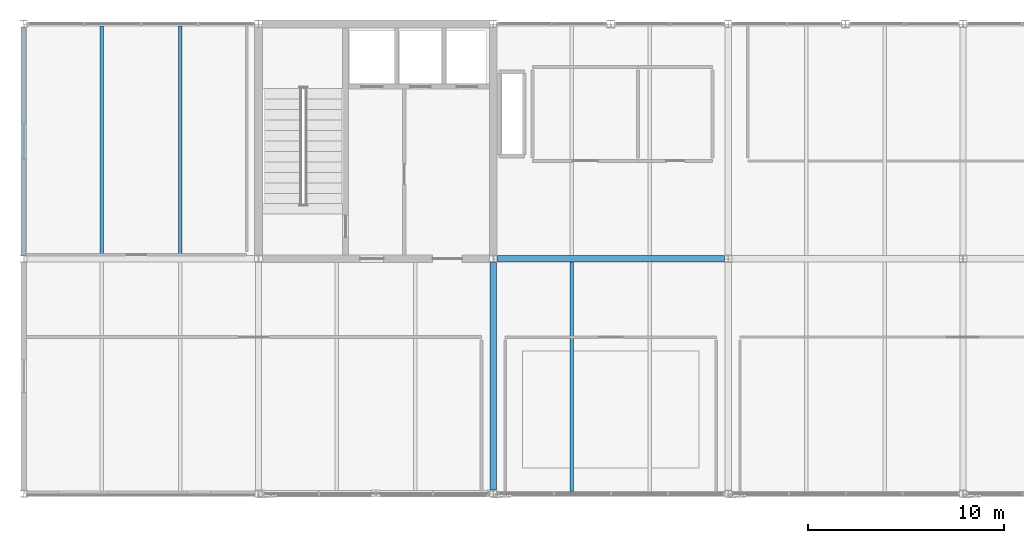
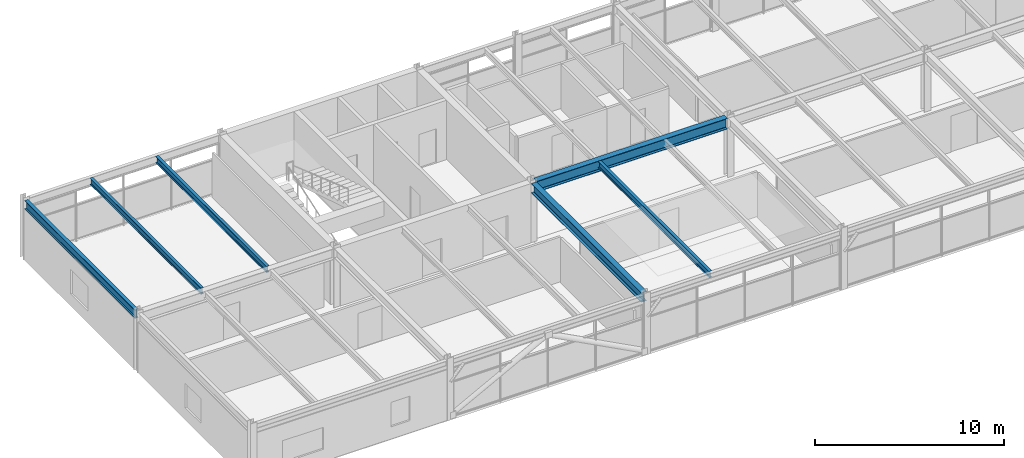
# One storey, part 10 of 40: 6 beams.
"""IFC4 building model written with IfcOpenShell, lengths in metres."""

from ifc_helpers import new_model, si_unit, direction, frame, origin, origin_2d, place, context, subcontext, project, spatial, i_section, extrude, material, material_profile, profile_set, type_object, element, save


model = new_model("IFC4")

# Units and contexts
model_context = context("Model", 3, precision=1e-05, world=origin(), true_north=direction((0.0, 1.0)))
body_context = subcontext(model_context, "Body", "Model", "MODEL_VIEW")
ifc_project = project(units=[si_unit("LENGTHUNIT", "METRE"), si_unit("AREAUNIT", "SQUARE_METRE"), si_unit("VOLUMEUNIT", "CUBIC_METRE"), si_unit("PLANEANGLEUNIT", "RADIAN"), si_unit("MASSUNIT", "GRAM", prefix="KILO")], contexts=[model_context])

# Site, building, storey
site_placement = place(None, origin())
site = spatial("IfcSite", under=ifc_project, at=site_placement, CompositionType="ELEMENT")
building_placement = place(site_placement, origin())
building = spatial("IfcBuilding", under=site, at=building_placement, Name="Girod Span Mobility Hub", CompositionType="ELEMENT")
storey_placement = place(building_placement, frame((0.0, 0.0, 53.60009765625)))
storey = spatial("IfcBuildingStorey", under=building, at=storey_placement, Name="L13", CompositionType="ELEMENT", Elevation=53.60009765625)

# Beams
ifc_material_1 = material(Name="Steel A992 Grade 50", Category="steel")
ifc_material_profile_1 = material_profile(ifc_material_1, i_section(OverallWidth=0.178955078125, OverallDepth=0.409912109375, WebThickness=0.0087890625, FlangeThickness=0.014404296875, FilletRadius=0.012939453125, at=origin_2d()), Name="W16X45")
ifc_profile_set_1 = profile_set([ifc_material_profile_1], Name="Steel A992 Grade 50")
beam_type_1 = type_object("IfcBeamType", Name="BM-STL-W16X45", PredefinedType="BEAM", material=ifc_profile_set_1)
for number, where, z_axis, x_axis, name in (
    (1, (40.0, 57.174560546875, 3.60986328125), (0.0, 1.0, 0.0), (-1.0, 0.0, 0.0), "Composite Floorbeam 4/E-1 L13"),
    (2, (44.0, 57.174560546875, 3.60986328125), (0.0, 1.0, 0.0), (-1.0, 0.0, 0.0), "Composite Floorbeam 4/E-2 L13"),
    (3, (64.0, 45.10302734375, 3.60986328125), (0.0, 1.0, 0.0), (-1.0, 0.0, 0.0), "Composite Floorbeam 6/D-1 L13"),
):
    element("IfcBeam", number, at=place(storey_placement, frame(where, z_axis=z_axis, x_axis=x_axis)), inside=storey, type_object=beam_type_1, Name=name, PredefinedType="BEAM", context=body_context, shape_type="SweptSolid", body=[
        extrude(i_section(OverallWidth=0.178955078125, OverallDepth=0.409912109375, WebThickness=0.0087890625, FlangeThickness=0.014404296875, FilletRadius=0.012939453125, at=origin_2d()), origin(), (0.0, 0.0, 1.0), 11.722412109375),
    ])
ifc_material_2 = material(Name="Steel A992 Grade 50", Category="steel")
ifc_material_profile_2 = material_profile(ifc_material_2, i_section(OverallWidth=0.2119140625, OverallDepth=0.5439453125, WebThickness=0.01318359375, FlangeThickness=0.021240234375, FilletRadius=0.014892578125, at=origin_2d()), Name="W21X83")
ifc_profile_set_2 = profile_set([ifc_material_profile_2], Name="Steel A992 Grade 50")
beam_type_2 = type_object("IfcBeamType", Name="BM-STL-W21X83", PredefinedType="SPANDREL", material=ifc_profile_set_2)
beam_1_placement = place(storey_placement, frame((36.0, 57.175048828125, 3.54296875), z_axis=(0.0, 1.0, 0.0), x_axis=(-1.0, 0.0, 0.0)))
element("IfcBeam", 4, at=beam_1_placement, inside=storey, type_object=beam_type_2, Name="Tie Girder 4/E-F L13", PredefinedType="SPANDREL", context=body_context, shape_type="SweptSolid", body=[
    extrude(i_section(OverallWidth=0.2119140625, OverallDepth=0.5439453125, WebThickness=0.01318359375, FlangeThickness=0.021240234375, FilletRadius=0.014892578125, at=origin_2d()), origin(), (0.0, 0.0, 1.0), 11.64990234375),
])
ifc_material_3 = material(Name="Steel A992 Grade 50", Category="steel")
ifc_material_profile_3 = material_profile(ifc_material_3, i_section(OverallWidth=0.323974609375, OverallDepth=0.611083984375, WebThickness=0.0126953125, FlangeThickness=0.01904296875, FilletRadius=0.014892578125, at=origin_2d()), Name="W24X104")
ifc_profile_set_3 = profile_set([ifc_material_profile_3], Name="Steel A992 Grade 50")
beam_type_3 = type_object("IfcBeamType", Name="BM-STL-W24X104", PredefinedType="BEAM", material=ifc_profile_set_3)
beam_2_placement = place(storey_placement, frame((60.0, 45.175048828125, 3.509521484375), z_axis=(0.0, 1.0, 0.0), x_axis=(-1.0, 0.0, 0.0)))
element("IfcBeam", 5, at=beam_2_placement, inside=storey, type_object=beam_type_3, Name="Tie Girder 6/D-E L13", PredefinedType="BEAM", context=body_context, shape_type="SweptSolid", body=[
    extrude(i_section(OverallWidth=0.323974609375, OverallDepth=0.611083984375, WebThickness=0.0126953125, FlangeThickness=0.01904296875, FilletRadius=0.014892578125, at=origin_2d()), origin(), (0.0, 0.0, 1.0), 11.640380859375),
])
ifc_material_4 = material(Name="Steel A992 Grade 50", Category="steel")
ifc_material_profile_4 = material_profile(ifc_material_4, i_section(OverallWidth=0.35498046875, OverallDepth=0.695068359375, WebThickness=0.015380859375, FlangeThickness=0.02490234375, FilletRadius=0.01806640625, at=origin_2d()), Name="W27X146")
ifc_profile_set_4 = profile_set([ifc_material_profile_4], Name="Steel A992 Grade 50")
beam_type_4 = type_object("IfcBeamType", Name="BM-STL-W27X146", PredefinedType="BEAM", material=ifc_profile_set_4)
beam_3_placement = place(storey_placement, frame((60.194091796875, 57.0, 3.46728515625), z_axis=(1.0, 0.0, 0.0), x_axis=(0.0, 1.0, 0.0)))
element("IfcBeam", 6, at=beam_3_placement, inside=storey, type_object=beam_type_4, Name="Girder 6-7/E L13", PredefinedType="BEAM", context=body_context, shape_type="SweptSolid", body=[
    extrude(i_section(OverallWidth=0.35498046875, OverallDepth=0.695068359375, WebThickness=0.015380859375, FlangeThickness=0.02490234375, FilletRadius=0.01806640625, at=origin_2d()), origin(), (0.0, 0.0, 1.0), 11.61181640625),
])

save(model, "model.ifc")
